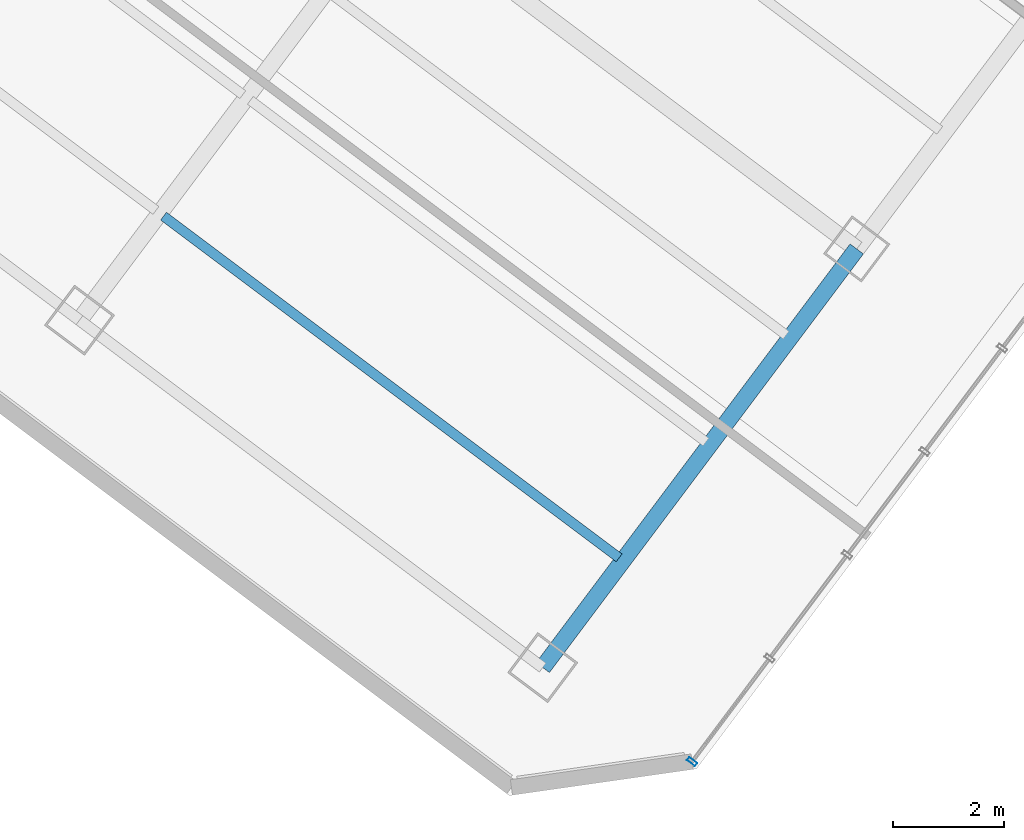
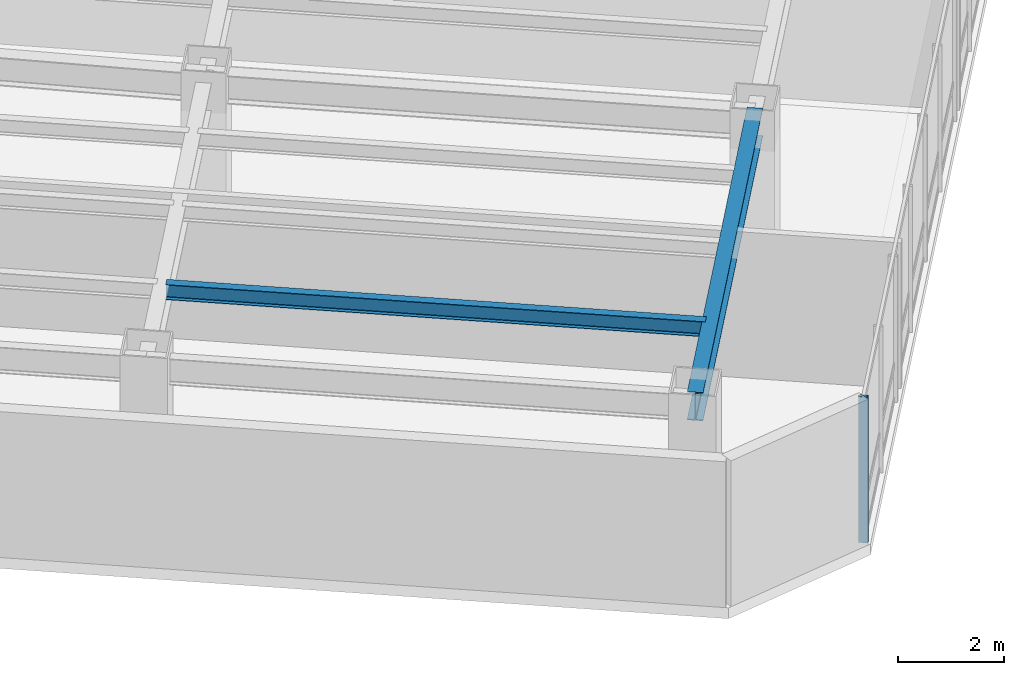
# One storey, part 6 of 30: 2 beams, 1 member, 1 element without a shape of its own.
"""IFC4 building model written with IfcOpenShell, lengths in metres."""

from ifc_helpers import new_model, si_unit, direction, frame, origin, origin_2d, place, context, subcontext, project, spatial, hollow_rectangle, i_section, extrude, material, layer, layer_set, material_profile, profile_set, type_object, element, aggregate, save


model = new_model("IFC4")

# Units and contexts
model_context = context("Model", 3, precision=1e-05, world=origin(), true_north=direction((0.0, 1.0)))
body_context = subcontext(model_context, "Body", "Model", "MODEL_VIEW")
ifc_project = project(units=[si_unit("LENGTHUNIT", "METRE"), si_unit("AREAUNIT", "SQUARE_METRE"), si_unit("VOLUMEUNIT", "CUBIC_METRE"), si_unit("PLANEANGLEUNIT", "RADIAN"), si_unit("MASSUNIT", "GRAM", prefix="KILO")], contexts=[model_context])

# Site, building, storey
site_placement = place(None, origin())
site = spatial("IfcSite", under=ifc_project, at=site_placement, CompositionType="ELEMENT")
building_placement = place(site_placement, origin())
building = spatial("IfcBuilding", under=site, at=building_placement, Name="Hatsunagi Terrace Concourse", CompositionType="ELEMENT")
storey_placement = place(building_placement, frame((0.0, 0.0, 101.25)))
storey = spatial("IfcBuildingStorey", under=building, at=storey_placement, Name="L26", CompositionType="ELEMENT", Elevation=101.25)

# Curtain wall, member
ifc_material_1 = material(Name="Anodised Aluminium Alloy 6063-T5", Category="aluminium")
ifc_layer = layer(ifc_material_1, 0.199951171875)
ifc_layer_set = layer_set([ifc_layer], Name="OfficeZone1_CW03")
curtain_wall_type = type_object("IfcCurtainWallType", Name="OfficeZone1_CW03", PredefinedType="NOTDEFINED", material=ifc_layer_set)
curtain_wall_placement = place(storey_placement, origin())
curtain_wall = element("IfcCurtainWall", 1, at=curtain_wall_placement, inside=storey, type_object=curtain_wall_type, Name="Unitised Curtain Wall CW-03 CW-L26-03", PredefinedType="NOTDEFINED")
ifc_material_2 = material(Name="Anodised Aluminium Alloy 6063-T5", Category="aluminium")
ifc_material_profile_1 = material_profile(ifc_material_2, hollow_rectangle(XDim=0.070068359375, YDim=0.179931640625, WallThickness=0.00390625, at=origin_2d()), Name="ALU-MUL-180x70x4")
ifc_profile_set_1 = profile_set([ifc_material_profile_1], Name="Anodised Aluminium Alloy 6063-T5")
member_type = type_object("IfcMemberType", Name="CurtainWallMullion_180x70", PredefinedType="MULLION", material=ifc_profile_set_1)
member_placement = place(storey_placement, frame((56.56298828125, 2.949951171875, 0.0), z_axis=(0.0, 0.0, 1.0), x_axis=(-0.599969314634, -0.800023013105, 0.0)))
member = element("IfcMember", 2, at=member_placement, type_object=member_type, Name="Curtain Wall Mullion MUL-02", PredefinedType="MULLION", context=body_context, shape_type="SweptSolid", body=[
    extrude(hollow_rectangle(XDim=0.070068359375, YDim=0.179931640625, WallThickness=0.00390625, at=origin_2d()), origin(), (0.0, 0.0, 1.0), 3.35009765625),
])
aggregate(curtain_wall, [member])

# Beams
ifc_material_3 = material(Name="Steel SN490B", Category="steel")
ifc_material_profile_2 = material_profile(ifc_material_3, i_section(OverallWidth=0.175048828125, OverallDepth=0.35009765625, WebThickness=0.007080078125, FlangeThickness=0.010986328125, FilletRadius=0.012939453125, at=origin_2d()), Name="H-350x175x7x11")
ifc_profile_set_2 = profile_set([ifc_material_profile_2], Name="Steel SN490B")
beam_type_1 = type_object("IfcBeamType", Name="HotelJoist_H_350x175", PredefinedType="JOIST", material=ifc_profile_set_2)
beam_1_placement = place(storey_placement, frame((47.068115234375, 12.7490234375, 3.175048828125), z_axis=(0.799997136125, -0.600003818481, 0.0), x_axis=(0.600003818481, 0.799997136125, 0.0)))
element("IfcBeam", 3, at=beam_1_placement, inside=storey, type_object=beam_type_1, Name="Beam J-02 J-L26-SE-3-46", PredefinedType="JOIST", context=body_context, shape_type="SweptSolid", body=[
    extrude(i_section(OverallWidth=0.175048828125, OverallDepth=0.35009765625, WebThickness=0.007080078125, FlangeThickness=0.010986328125, FilletRadius=0.012939453125, at=origin_2d()), origin(), (0.0, 0.0, 1.0), 10.229736328125),
])
ifc_material_4 = material(Name="Steel SN490B", Category="steel")
ifc_material_profile_3 = material_profile(ifc_material_4, i_section(OverallWidth=0.300048828125, OverallDepth=0.64990234375, WebThickness=0.012939453125, FlangeThickness=0.02197265625, FilletRadius=0.01806640625, at=origin_2d()), Name="H-650x300x13x22")
ifc_profile_set_3 = profile_set([ifc_material_profile_3], Name="Steel SN490B")
beam_type_2 = type_object("IfcBeamType", Name="OfficeLowGirder_H_650x300", PredefinedType="BEAM", material=ifc_profile_set_3)
beam_2_placement = place(storey_placement, frame((53.8798828125, 4.639892578125, 3.02490234375), z_axis=(0.600008311051, 0.799993766644, 0.0), x_axis=(-0.799993766644, 0.600008311051, 0.0)))
element("IfcBeam", 4, at=beam_2_placement, inside=storey, type_object=beam_type_2, Name="Beam G-05 BM-L26-SET-3A", PredefinedType="BEAM", context=body_context, shape_type="SweptSolid", body=[
    extrude(i_section(OverallWidth=0.300048828125, OverallDepth=0.64990234375, WebThickness=0.012939453125, FlangeThickness=0.02197265625, FilletRadius=0.01806640625, at=origin_2d()), origin(), (0.0, 0.0, 1.0), 9.400146484375),
])

save(model, "model.ifc")
